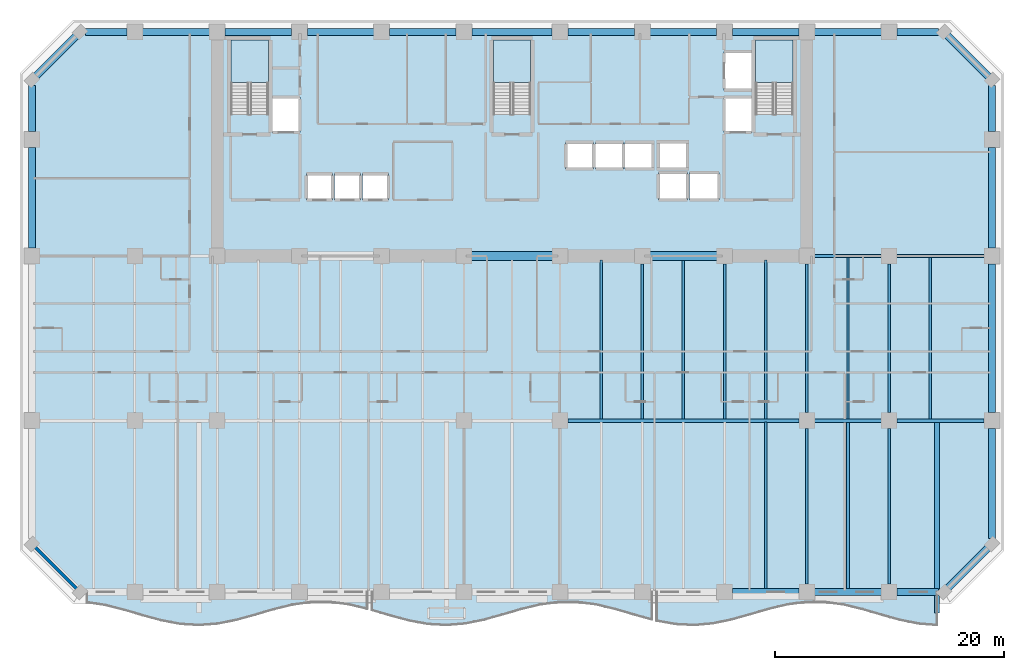
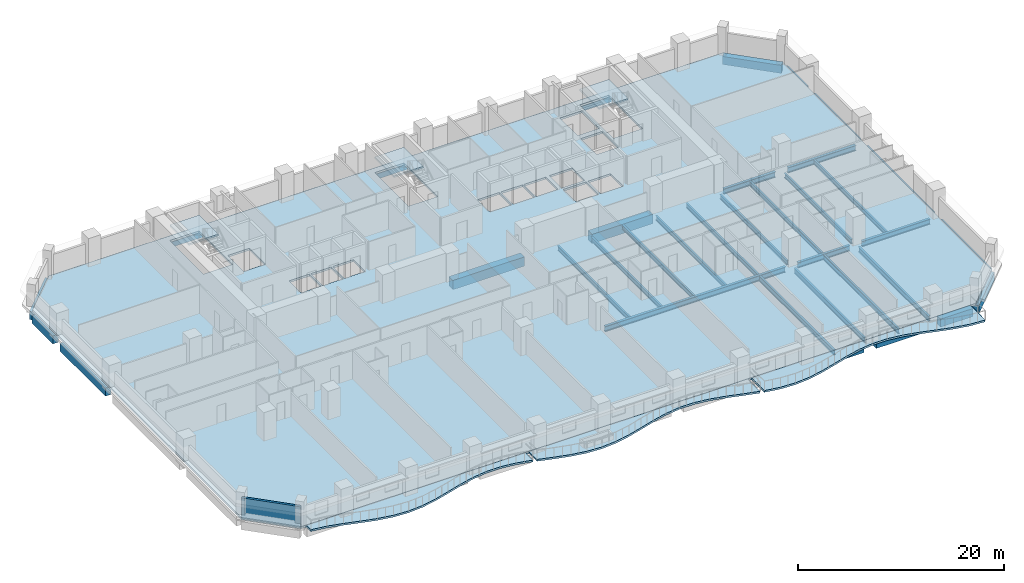
# One storey, part 2 of 14: 44 beams, 7 slabs, 1 wall, 3 elements without a shape of their own.
"""IFC4 building model written with IfcOpenShell, lengths in metres."""

from ifc_helpers import new_model, si_unit, direction, frame, frame_2d, origin, origin_2d, place, context, subcontext, project, spatial, polyline, rectangle, i_section, outline, extrude, material, layer, layer_set, material_profile, profile_set, type_object, element, aggregate, save


model = new_model("IFC4")

# Units and contexts
model_context = context("Model", 3, precision=1e-05, world=origin(), true_north=direction((0.0, 1.0)))
body_context = subcontext(model_context, "Body", "Model", "MODEL_VIEW")
ifc_project = project(units=[si_unit("LENGTHUNIT", "METRE"), si_unit("AREAUNIT", "SQUARE_METRE"), si_unit("VOLUMEUNIT", "CUBIC_METRE"), si_unit("PLANEANGLEUNIT", "RADIAN"), si_unit("MASSUNIT", "GRAM", prefix="KILO")], contexts=[model_context])

# Site, building, storey
site_placement = place(None, origin())
site = spatial("IfcSite", under=ifc_project, at=site_placement, CompositionType="ELEMENT")
building_placement = place(site_placement, origin())
building = spatial("IfcBuilding", under=site, at=building_placement, Name="Kaelvorn Grand Hotel", CompositionType="ELEMENT")
storey_placement = place(building_placement, frame((0.0, 0.0, 76.39990234375)))
storey = spatial("IfcBuildingStorey", under=building, at=storey_placement, Name="L17", CompositionType="ELEMENT", Elevation=76.39990234375)

# Beams
ifc_material_1 = material(Name="Steel S355", Category="steel")
ifc_material_profile_1 = material_profile(ifc_material_1, i_section(OverallWidth=0.300048828125, OverallDepth=0.64990234375, WebThickness=0.01611328125, FlangeThickness=0.031005859375, FilletRadius=0.027099609375, at=origin_2d()), Name="HEB 650")
ifc_profile_set_1 = profile_set([ifc_material_profile_1], Name="Steel S355")
beam_type_1 = type_object("IfcBeamType", Name="BM-G-HEB650-S355", PredefinedType="BEAM", material=ifc_profile_set_1)
beam_1_placement = place(storey_placement, frame((46.885009765625, 15.0, -0.56494140625), z_axis=(1.0, 0.0, 0.0), x_axis=(0.0, 1.0, 0.0)))
element("IfcBeam", 1, at=beam_1_placement, inside=storey, type_object=beam_type_1, Name="L17 Primary Spine Steel Girder G-15 05", PredefinedType="BEAM", context=body_context, shape_type="SweptSolid", body=[
    extrude(i_section(OverallWidth=0.300048828125, OverallDepth=0.64990234375, WebThickness=0.01611328125, FlangeThickness=0.031005859375, FilletRadius=0.027099609375, at=origin_2d()), origin(), (0.0, 0.0, 1.0), 20.22998046875),
])
beam_2_placement = place(storey_placement, frame((68.485107421875, 15.0, -0.56494140625), z_axis=(1.0, 0.0, 0.0), x_axis=(0.0, 1.0, 0.0)))
element("IfcBeam", 2, at=beam_2_placement, inside=storey, type_object=beam_type_1, Name="L17 Primary Spine Steel Girder G-15 06", PredefinedType="BEAM", context=body_context, shape_type="SweptSolid", body=[
    extrude(i_section(OverallWidth=0.300048828125, OverallDepth=0.64990234375, WebThickness=0.01611328125, FlangeThickness=0.031005859375, FilletRadius=0.027099609375, at=origin_2d()), origin(), (0.0, 0.0, 1.0), 5.829833984375),
])
beam_3_placement = place(storey_placement, frame((75.68505859375, 15.0, -0.56494140625), z_axis=(1.0, 0.0, 0.0), x_axis=(0.0, 1.0, 0.0)))
element("IfcBeam", 3, at=beam_3_placement, inside=storey, type_object=beam_type_1, Name="L17 Primary Spine Steel Girder G-15 07", PredefinedType="BEAM", context=body_context, shape_type="SweptSolid", body=[
    extrude(i_section(OverallWidth=0.300048828125, OverallDepth=0.64990234375, WebThickness=0.01611328125, FlangeThickness=0.031005859375, FilletRadius=0.027099609375, at=origin_2d()), origin(), (0.0, 0.0, 1.0), 7.6298828125),
])
beam_4_placement = place(storey_placement, frame((68.485107421875, 29.39990234375, -0.56494140625), z_axis=(1.0, 0.0, 0.0), x_axis=(0.0, 1.0, 0.0)))
element("IfcBeam", 4, at=beam_4_placement, inside=storey, type_object=beam_type_1, Name="L17 East Core Wing Steel Girder G-29E 01", PredefinedType="BEAM", context=body_context, shape_type="SweptSolid", body=[
    extrude(i_section(OverallWidth=0.300048828125, OverallDepth=0.64990234375, WebThickness=0.01611328125, FlangeThickness=0.031005859375, FilletRadius=0.027099609375, at=origin_2d()), origin(), (0.0, 0.0, 1.0), 5.829833984375),
])
beam_5_placement = place(storey_placement, frame((75.68505859375, 29.39990234375, -0.56494140625), z_axis=(1.0, 0.0, 0.0), x_axis=(0.0, 1.0, 0.0)))
element("IfcBeam", 5, at=beam_5_placement, inside=storey, type_object=beam_type_1, Name="L17 East Core Wing Steel Girder G-29E 02", PredefinedType="BEAM", context=body_context, shape_type="SweptSolid", body=[
    extrude(i_section(OverallWidth=0.300048828125, OverallDepth=0.64990234375, WebThickness=0.01611328125, FlangeThickness=0.031005859375, FilletRadius=0.027099609375, at=origin_2d()), origin(), (0.0, 0.0, 1.0), 7.6298828125),
])
ifc_material_profile_2 = material_profile(ifc_material_1, i_section(OverallWidth=0.209228515625, OverallDepth=0.533203125, WebThickness=0.010009765625, FlangeThickness=0.015625, FilletRadius=0.0126953125, at=origin_2d()), Name="UB 533x210x92")
ifc_profile_set_2 = profile_set([ifc_material_profile_2], Name="Steel S355")
beam_type_2 = type_object("IfcBeamType", Name="BM-J-UB533-S355", PredefinedType="JOIST", material=ifc_profile_set_2)
beam_6_placement = place(storey_placement, frame((49.800048828125, 15.135009765625, -0.50634765625), z_axis=(0.0, 1.0, 0.0), x_axis=(-1.0, 0.0, 0.0)))
element("IfcBeam", 6, at=beam_6_placement, inside=storey, type_object=beam_type_2, Name="L17 Composite Floor Joist JM-14", PredefinedType="JOIST", context=body_context, shape_type="SweptSolid", body=[
    extrude(i_section(OverallWidth=0.209228515625, OverallDepth=0.533203125, WebThickness=0.010009765625, FlangeThickness=0.015625, FilletRadius=0.0126953125, at=origin_2d()), origin(), (0.0, 0.0, 1.0), 13.925048828125),
])
beam_7_placement = place(storey_placement, frame((53.39990234375, 15.135009765625, -0.50634765625), z_axis=(0.0, 1.0, 0.0), x_axis=(-1.0, 0.0, 0.0)))
element("IfcBeam", 7, at=beam_7_placement, inside=storey, type_object=beam_type_2, Name="L17 Composite Floor Joist JM-15", PredefinedType="JOIST", context=body_context, shape_type="SweptSolid", body=[
    extrude(i_section(OverallWidth=0.209228515625, OverallDepth=0.533203125, WebThickness=0.010009765625, FlangeThickness=0.015625, FilletRadius=0.0126953125, at=origin_2d()), origin(), (0.0, 0.0, 1.0), 13.580078125),
])
beam_8_placement = place(storey_placement, frame((57.0, 15.135009765625, -0.50634765625), z_axis=(0.0, 1.0, 0.0), x_axis=(-1.0, 0.0, 0.0)))
element("IfcBeam", 8, at=beam_8_placement, inside=storey, type_object=beam_type_2, Name="L17 Composite Floor Joist JM-16", PredefinedType="JOIST", context=body_context, shape_type="SweptSolid", body=[
    extrude(i_section(OverallWidth=0.209228515625, OverallDepth=0.533203125, WebThickness=0.010009765625, FlangeThickness=0.015625, FilletRadius=0.0126953125, at=origin_2d()), origin(), (0.0, 0.0, 1.0), 13.925048828125),
])
beam_9_placement = place(storey_placement, frame((60.60009765625, 15.135009765625, -0.50634765625), z_axis=(0.0, 1.0, 0.0), x_axis=(-1.0, 0.0, 0.0)))
element("IfcBeam", 9, at=beam_9_placement, inside=storey, type_object=beam_type_2, Name="L17 Composite Floor Joist JM-17", PredefinedType="JOIST", context=body_context, shape_type="SweptSolid", body=[
    extrude(i_section(OverallWidth=0.209228515625, OverallDepth=0.533203125, WebThickness=0.010009765625, FlangeThickness=0.015625, FilletRadius=0.0126953125, at=origin_2d()), origin(), (0.0, 0.0, 1.0), 13.580078125),
])
beam_10_placement = place(storey_placement, frame((64.199951171875, 15.135009765625, -0.50634765625), z_axis=(0.0, 1.0, 0.0), x_axis=(-1.0, 0.0, 0.0)))
element("IfcBeam", 10, at=beam_10_placement, inside=storey, type_object=beam_type_2, Name="L17 Composite Floor Joist JM-18", PredefinedType="JOIST", context=body_context, shape_type="SweptSolid", body=[
    extrude(i_section(OverallWidth=0.209228515625, OverallDepth=0.533203125, WebThickness=0.010009765625, FlangeThickness=0.015625, FilletRadius=0.0126953125, at=origin_2d()), origin(), (0.0, 0.0, 1.0), 13.925048828125),
])
beam_11_placement = place(storey_placement, frame((67.800048828125, 15.68505859375, -0.50634765625), z_axis=(0.0, 1.0, 0.0), x_axis=(-1.0, 0.0, 0.0)))
element("IfcBeam", 11, at=beam_11_placement, inside=storey, type_object=beam_type_2, Name="L17 Composite Floor Joist JM-19", PredefinedType="JOIST", context=body_context, shape_type="SweptSolid", body=[
    extrude(i_section(OverallWidth=0.209228515625, OverallDepth=0.533203125, WebThickness=0.010009765625, FlangeThickness=0.015625, FilletRadius=0.0126953125, at=origin_2d()), origin(), (0.0, 0.0, 1.0), 13.030029296875),
])
beam_12_placement = place(storey_placement, frame((71.39990234375, 15.135009765625, -0.50634765625), z_axis=(0.0, 1.0, 0.0), x_axis=(-1.0, 0.0, 0.0)))
element("IfcBeam", 12, at=beam_12_placement, inside=storey, type_object=beam_type_2, Name="L17 Composite Floor Joist JM-20", PredefinedType="JOIST", context=body_context, shape_type="SweptSolid", body=[
    extrude(i_section(OverallWidth=0.209228515625, OverallDepth=0.533203125, WebThickness=0.010009765625, FlangeThickness=0.015625, FilletRadius=0.0126953125, at=origin_2d()), origin(), (0.0, 0.0, 1.0), 14.1298828125),
])
beam_13_placement = place(storey_placement, frame((75.0, 15.68505859375, -0.50634765625), z_axis=(0.0, 1.0, 0.0), x_axis=(-1.0, 0.0, 0.0)))
element("IfcBeam", 13, at=beam_13_placement, inside=storey, type_object=beam_type_2, Name="L17 Composite Floor Joist JM-21", PredefinedType="JOIST", context=body_context, shape_type="SweptSolid", body=[
    extrude(i_section(OverallWidth=0.209228515625, OverallDepth=0.533203125, WebThickness=0.010009765625, FlangeThickness=0.015625, FilletRadius=0.0126953125, at=origin_2d()), origin(), (0.0, 0.0, 1.0), 13.030029296875),
])
beam_14_placement = place(storey_placement, frame((78.60009765625, 15.135009765625, -0.50634765625), z_axis=(0.0, 1.0, 0.0), x_axis=(-1.0, 0.0, 0.0)))
element("IfcBeam", 14, at=beam_14_placement, inside=storey, type_object=beam_type_2, Name="L17 Composite Floor Joist JM-22", PredefinedType="JOIST", context=body_context, shape_type="SweptSolid", body=[
    extrude(i_section(OverallWidth=0.209228515625, OverallDepth=0.533203125, WebThickness=0.010009765625, FlangeThickness=0.015625, FilletRadius=0.0126953125, at=origin_2d()), origin(), (0.0, 0.0, 1.0), 14.1298828125),
])
ifc_material_profile_3 = material_profile(ifc_material_1, i_section(OverallWidth=0.22900390625, OverallDepth=0.6123046875, WebThickness=0.011962890625, FlangeThickness=0.01953125, FilletRadius=0.0126953125, at=origin_2d()), Name="UB 610x229x125")
ifc_profile_set_3 = profile_set([ifc_material_profile_3], Name="Steel S355")
beam_type_3 = type_object("IfcBeamType", Name="BM-J-UB610-S355", PredefinedType="JOIST", material=ifc_profile_set_3)
beam_15_placement = place(storey_placement, frame((64.199951171875, 0.31005859375, -0.5458984375), z_axis=(0.0, 1.0, 0.0), x_axis=(-1.0, 0.0, 0.0)))
element("IfcBeam", 15, at=beam_15_placement, inside=storey, type_object=beam_type_3, Name="L17 Composite Floor Joist JS-18", PredefinedType="JOIST", context=body_context, shape_type="SweptSolid", body=[
    extrude(i_section(OverallWidth=0.22900390625, OverallDepth=0.6123046875, WebThickness=0.011962890625, FlangeThickness=0.01953125, FilletRadius=0.0126953125, at=origin_2d()), origin(), (0.0, 0.0, 1.0), 14.554931640625),
])
beam_16_placement = place(storey_placement, frame((67.800048828125, 0.68505859375, -0.5458984375), z_axis=(0.0, 1.0, 0.0), x_axis=(-1.0, 0.0, 0.0)))
element("IfcBeam", 16, at=beam_16_placement, inside=storey, type_object=beam_type_3, Name="L17 Composite Floor Joist JS-19", PredefinedType="JOIST", context=body_context, shape_type="SweptSolid", body=[
    extrude(i_section(OverallWidth=0.22900390625, OverallDepth=0.6123046875, WebThickness=0.011962890625, FlangeThickness=0.01953125, FilletRadius=0.0126953125, at=origin_2d()), origin(), (0.0, 0.0, 1.0), 13.6298828125),
])
beam_17_placement = place(storey_placement, frame((71.39990234375, 0.31005859375, -0.5458984375), z_axis=(0.0, 1.0, 0.0), x_axis=(-1.0, 0.0, 0.0)))
element("IfcBeam", 17, at=beam_17_placement, inside=storey, type_object=beam_type_3, Name="L17 Composite Floor Joist JS-20", PredefinedType="JOIST", context=body_context, shape_type="SweptSolid", body=[
    extrude(i_section(OverallWidth=0.22900390625, OverallDepth=0.6123046875, WebThickness=0.011962890625, FlangeThickness=0.01953125, FilletRadius=0.0126953125, at=origin_2d()), origin(), (0.0, 0.0, 1.0), 14.554931640625),
])
beam_18_placement = place(storey_placement, frame((75.0, 0.68505859375, -0.5458984375), z_axis=(0.0, 1.0, 0.0), x_axis=(-1.0, 0.0, 0.0)))
element("IfcBeam", 18, at=beam_18_placement, inside=storey, type_object=beam_type_3, Name="L17 Composite Floor Joist JS-21", PredefinedType="JOIST", context=body_context, shape_type="SweptSolid", body=[
    extrude(i_section(OverallWidth=0.22900390625, OverallDepth=0.6123046875, WebThickness=0.011962890625, FlangeThickness=0.01953125, FilletRadius=0.0126953125, at=origin_2d()), origin(), (0.0, 0.0, 1.0), 13.6298828125),
])
ifc_material_2 = material(Name="Concrete C60/75", Category="concrete")
ifc_material_profile_4 = material_profile(ifc_material_2, rectangle(XDim=0.800048828125, YDim=1.10009765625, at=origin_2d()), Name="RC LINTEL 800x1100")
ifc_profile_set_4 = profile_set([ifc_material_profile_4], Name="Concrete C60/75")
beam_type_4 = type_object("IfcBeamType", Name="BM-LIN-800x1100-C60", PredefinedType="LINTEL", material=ifc_profile_set_4)
beam_19_placement = place(storey_placement, frame((37.97998046875, 29.39990234375, -0.789794921875), z_axis=(1.0, 0.0, 0.0), x_axis=(0.0, 1.0, 0.0)))
element("IfcBeam", 19, at=beam_19_placement, inside=storey, type_object=beam_type_4, Name="L17 Rear-Core Coupling Lintel Beam CB1-02", PredefinedType="LINTEL", context=body_context, shape_type="SweptSolid", body=[
    extrude(rectangle(XDim=0.800048828125, YDim=1.10009765625, at=origin_2d()), origin(), (0.0, 0.0, 1.0), 8.0400390625),
])
beam_20_placement = place(storey_placement, frame((53.580078125, 29.39990234375, -0.789794921875), z_axis=(1.0, 0.0, 0.0), x_axis=(0.0, 1.0, 0.0)))
element("IfcBeam", 20, at=beam_20_placement, inside=storey, type_object=beam_type_4, Name="L17 Rear-Core Coupling Lintel Beam CB1-03", PredefinedType="LINTEL", context=body_context, shape_type="SweptSolid", body=[
    extrude(rectangle(XDim=0.800048828125, YDim=1.10009765625, at=origin_2d()), origin(), (0.0, 0.0, 1.0), 6.83984375),
])
ifc_material_3 = material(Name="Concrete C40/50", Category="concrete")
ifc_material_profile_5 = material_profile(ifc_material_3, rectangle(XDim=0.449951171875, YDim=0.64990234375, at=origin_2d()), Name="RC RIB 450x650")
ifc_profile_set_5 = profile_set([ifc_material_profile_5], Name="Concrete C40/50")
beam_type_5 = type_object("IfcBeamType", Name="BM-RIB-450x650-C40", PredefinedType="SPANDREL", material=ifc_profile_set_5)
beam_21_placement = place(storey_placement, frame((79.199951171875, -1.85009765625, -0.544921875), z_axis=(0.0, 1.0, 0.0), x_axis=(-1.0, 0.0, 0.0)))
element("IfcBeam", 21, at=beam_21_placement, inside=storey, type_object=beam_type_5, Name="L17 Cantilevered Balcony Back-Span Rib RB1-3", PredefinedType="SPANDREL", context=body_context, shape_type="SweptSolid", body=[
    extrude(rectangle(XDim=0.449951171875, YDim=0.64990234375, at=origin_2d()), origin(), (0.0, 0.0, 1.0), 16.715087890625),
])
ifc_material_profile_6 = material_profile(ifc_material_2, rectangle(XDim=0.64990234375, YDim=0.949951171875, at=origin_2d()), Name="RC SPANDREL 650x950")
ifc_profile_set_6 = profile_set([ifc_material_profile_6], Name="Concrete C60/75")
beam_type_6 = type_object("IfcBeamType", Name="BM-SP-650x950-C60", PredefinedType="SPANDREL", material=ifc_profile_set_6)
beam_22_placement = place(storey_placement, frame((61.284912109375, 0.0, -0.71484375), z_axis=(1.0, 0.0, 0.0), x_axis=(0.0, 1.0, 0.0)))
element("IfcBeam", 22, at=beam_22_placement, inside=storey, type_object=beam_type_6, Name="L17 South Perimeter Spandrel 09", PredefinedType="SPANDREL", context=body_context, shape_type="SweptSolid", body=[
    extrude(rectangle(XDim=0.64990234375, YDim=0.949951171875, at=origin_2d()), origin(), (0.0, 0.0, 1.0), 5.830078125),
])
beam_23_placement = place(storey_placement, frame((68.485107421875, 0.0, -0.71484375), z_axis=(1.0, 0.0, 0.0), x_axis=(0.0, 1.0, 0.0)))
element("IfcBeam", 23, at=beam_23_placement, inside=storey, type_object=beam_type_6, Name="L17 South Perimeter Spandrel 10", PredefinedType="SPANDREL", context=body_context, shape_type="SweptSolid", body=[
    extrude(rectangle(XDim=0.64990234375, YDim=0.949951171875, at=origin_2d()), origin(), (0.0, 0.0, 1.0), 5.829833984375),
])
for number, where, z_axis, x_axis, name in (
    (24, (75.68505859375, 0.0, -0.71484375), (1.0, 0.0, 0.0), (0.0, 1.0, 0.0), "L17 South Perimeter Spandrel 11"),
    (25, (4.68505859375, 49.0, -0.71484375), (1.0, 0.0, 0.0), (0.0, 1.0, 0.0), "L17 North Perimeter Spandrel 01"),
):
    element("IfcBeam", number, at=place(storey_placement, frame(where, z_axis=z_axis, x_axis=x_axis)), inside=storey, type_object=beam_type_6, Name=name, PredefinedType="SPANDREL", context=body_context, shape_type="SweptSolid", body=[
        extrude(rectangle(XDim=0.64990234375, YDim=0.949951171875, at=origin_2d()), origin(), (0.0, 0.0, 1.0), 3.6298828125),
    ])
beam_24_placement = place(storey_placement, frame((9.68505859375, 49.0, -0.71484375), z_axis=(1.0, 0.0, 0.0), x_axis=(0.0, 1.0, 0.0)))
element("IfcBeam", 26, at=beam_24_placement, inside=storey, type_object=beam_type_6, Name="L17 North Perimeter Spandrel 02", PredefinedType="SPANDREL", context=body_context, shape_type="SweptSolid", body=[
    extrude(rectangle(XDim=0.64990234375, YDim=0.949951171875, at=origin_2d()), origin(), (0.0, 0.0, 1.0), 5.829833984375),
])
for number, where, z_axis, x_axis, name in (
    (27, (16.885009765625, 49.0, -0.71484375), (1.0, 0.0, 0.0), (0.0, 1.0, 0.0), "L17 North Perimeter Spandrel 03"),
    (28, (24.0849609375, 49.0, -0.71484375), (1.0, 0.0, 0.0), (0.0, 1.0, 0.0), "L17 North Perimeter Spandrel 04"),
    (29, (31.284912109375, 49.0, -0.71484375), (1.0, 0.0, 0.0), (0.0, 1.0, 0.0), "L17 North Perimeter Spandrel 05"),
):
    element("IfcBeam", number, at=place(storey_placement, frame(where, z_axis=z_axis, x_axis=x_axis)), inside=storey, type_object=beam_type_6, Name=name, PredefinedType="SPANDREL", context=body_context, shape_type="SweptSolid", body=[
        extrude(rectangle(XDim=0.64990234375, YDim=0.949951171875, at=origin_2d()), origin(), (0.0, 0.0, 1.0), 5.830078125),
    ])
beam_25_placement = place(storey_placement, frame((38.485107421875, 49.0, -0.71484375), z_axis=(1.0, 0.0, 0.0), x_axis=(0.0, 1.0, 0.0)))
element("IfcBeam", 30, at=beam_25_placement, inside=storey, type_object=beam_type_6, Name="L17 North Perimeter Spandrel 06", PredefinedType="SPANDREL", context=body_context, shape_type="SweptSolid", body=[
    extrude(rectangle(XDim=0.64990234375, YDim=0.949951171875, at=origin_2d()), origin(), (0.0, 0.0, 1.0), 7.02978515625),
])
for number, where, z_axis, x_axis, name in (
    (31, (46.885009765625, 49.0, -0.71484375), (1.0, 0.0, 0.0), (0.0, 1.0, 0.0), "L17 North Perimeter Spandrel 07"),
    (32, (54.0849609375, 49.0, -0.71484375), (1.0, 0.0, 0.0), (0.0, 1.0, 0.0), "L17 North Perimeter Spandrel 08"),
    (33, (61.284912109375, 49.0, -0.71484375), (1.0, 0.0, 0.0), (0.0, 1.0, 0.0), "L17 North Perimeter Spandrel 09"),
):
    element("IfcBeam", number, at=place(storey_placement, frame(where, z_axis=z_axis, x_axis=x_axis)), inside=storey, type_object=beam_type_6, Name=name, PredefinedType="SPANDREL", context=body_context, shape_type="SweptSolid", body=[
        extrude(rectangle(XDim=0.64990234375, YDim=0.949951171875, at=origin_2d()), origin(), (0.0, 0.0, 1.0), 5.830078125),
    ])
beam_26_placement = place(storey_placement, frame((68.485107421875, 49.0, -0.71484375), z_axis=(1.0, 0.0, 0.0), x_axis=(0.0, 1.0, 0.0)))
element("IfcBeam", 34, at=beam_26_placement, inside=storey, type_object=beam_type_6, Name="L17 North Perimeter Spandrel 10", PredefinedType="SPANDREL", context=body_context, shape_type="SweptSolid", body=[
    extrude(rectangle(XDim=0.64990234375, YDim=0.949951171875, at=origin_2d()), origin(), (0.0, 0.0, 1.0), 5.829833984375),
])
beam_27_placement = place(storey_placement, frame((75.68505859375, 49.0, -0.71484375), z_axis=(1.0, 0.0, 0.0), x_axis=(0.0, 1.0, 0.0)))
element("IfcBeam", 35, at=beam_27_placement, inside=storey, type_object=beam_type_6, Name="L17 North Perimeter Spandrel 11", PredefinedType="SPANDREL", context=body_context, shape_type="SweptSolid", body=[
    extrude(rectangle(XDim=0.64990234375, YDim=0.949951171875, at=origin_2d()), origin(), (0.0, 0.0, 1.0), 3.6298828125),
])
beam_28_placement = place(storey_placement, frame((0.0, 30.0849609375, -0.71484375), z_axis=(0.0, 1.0, 0.0), x_axis=(-1.0, 0.0, 0.0)))
element("IfcBeam", 36, at=beam_28_placement, inside=storey, type_object=beam_type_6, Name="L17 West Perimeter Spandrel 03", PredefinedType="SPANDREL", context=body_context, shape_type="SweptSolid", body=[
    extrude(rectangle(XDim=0.64990234375, YDim=0.949951171875, at=origin_2d()), origin(), (0.0, 0.0, 1.0), 8.830078125),
])
beam_29_placement = place(storey_placement, frame((0.0, 40.284912109375, -0.71484375), z_axis=(0.0, 1.0, 0.0), x_axis=(-1.0, 0.0, 0.0)))
element("IfcBeam", 37, at=beam_29_placement, inside=storey, type_object=beam_type_6, Name="L17 West Perimeter Spandrel 04", PredefinedType="SPANDREL", context=body_context, shape_type="SweptSolid", body=[
    extrude(rectangle(XDim=0.64990234375, YDim=0.949951171875, at=origin_2d()), origin(), (0.0, 0.0, 1.0), 4.030029296875),
])
beam_30_placement = place(storey_placement, frame((84.0, 4.68505859375, -0.71484375), z_axis=(0.0, 1.0, 0.0), x_axis=(-1.0, 0.0, 0.0)))
element("IfcBeam", 38, at=beam_30_placement, inside=storey, type_object=beam_type_6, Name="L17 East Perimeter Spandrel 01", PredefinedType="SPANDREL", context=body_context, shape_type="SweptSolid", body=[
    extrude(rectangle(XDim=0.64990234375, YDim=0.949951171875, at=origin_2d()), origin(), (0.0, 0.0, 1.0), 9.6298828125),
])
beam_31_placement = place(storey_placement, frame((84.0, 15.68505859375, -0.71484375), z_axis=(0.0, 1.0, 0.0), x_axis=(-1.0, 0.0, 0.0)))
element("IfcBeam", 39, at=beam_31_placement, inside=storey, type_object=beam_type_6, Name="L17 East Perimeter Spandrel 02", PredefinedType="SPANDREL", context=body_context, shape_type="SweptSolid", body=[
    extrude(rectangle(XDim=0.64990234375, YDim=0.949951171875, at=origin_2d()), origin(), (0.0, 0.0, 1.0), 13.030029296875),
])
beam_32_placement = place(storey_placement, frame((84.0, 30.0849609375, -0.71484375), z_axis=(0.0, 1.0, 0.0), x_axis=(-1.0, 0.0, 0.0)))
element("IfcBeam", 40, at=beam_32_placement, inside=storey, type_object=beam_type_6, Name="L17 East Perimeter Spandrel 03", PredefinedType="SPANDREL", context=body_context, shape_type="SweptSolid", body=[
    extrude(rectangle(XDim=0.64990234375, YDim=0.949951171875, at=origin_2d()), origin(), (0.0, 0.0, 1.0), 8.830078125),
])
beam_33_placement = place(storey_placement, frame((84.0, 40.284912109375, -0.71484375), z_axis=(0.0, 1.0, 0.0), x_axis=(-1.0, 0.0, 0.0)))
element("IfcBeam", 41, at=beam_33_placement, inside=storey, type_object=beam_type_6, Name="L17 East Perimeter Spandrel 04", PredefinedType="SPANDREL", context=body_context, shape_type="SweptSolid", body=[
    extrude(rectangle(XDim=0.64990234375, YDim=0.949951171875, at=origin_2d()), origin(), (0.0, 0.0, 1.0), 4.030029296875),
])
for number, where, z_axis, x_axis, name in (
    (42, (79.800048828125, 0.0, -0.71484375), (0.707106781187, 0.707106781187, 0.0), (-0.707106781187, 0.707106781187, 0.0), "L17 Chamfer Spandrel Beam 1"),
    (43, (84.0, 44.800048828125, -0.71484375), (-0.707106781187, 0.707106781187, 0.0), (-0.707106781187, -0.707106781187, 0.0), "L17 Chamfer Spandrel Beam 2"),
    (44, (4.199951171875, 49.0, -0.71484375), (-0.707106781187, -0.707106781187, 0.0), (0.707106781187, -0.707106781187, 0.0), "L17 Chamfer Spandrel Beam 3"),
):
    element("IfcBeam", number, at=place(storey_placement, frame(where, z_axis=z_axis, x_axis=x_axis)), inside=storey, type_object=beam_type_6, Name=name, PredefinedType="SPANDREL", context=body_context, shape_type="SweptSolid", body=[
        extrude(rectangle(XDim=0.64990234375, YDim=0.949951171875, at=origin_2d()), origin(), (0.0, 0.0, 1.0), 5.939697265625),
    ])

# Slabs
ifc_layer_1 = layer(ifc_material_3, 0.219970703125)
ifc_layer_set_1 = layer_set([ifc_layer_1], Name="Concrete C40/50")
slab_type_1 = type_object("IfcSlabType", Name="SLB-BALC-220-C40", PredefinedType="FLOOR", material=ifc_layer_set_1)
slab_1_placement = place(storey_placement, frame((0.0, 0.0, -0.219970703125)))
element("IfcSlab", 45, at=slab_1_placement, inside=storey, type_object=slab_type_1, Name="L17 Scalloped Wave Balcony Slab 1", PredefinedType="FLOOR", context=body_context, shape_type="SweptSolid", body=[
    extrude(outline(polyline([(4.800048828125, -0.900146484375), (6.435546875, -1.153564453125), (8.071044921875, -1.567138671875), (9.706787109375, -2.049072265625), (11.34228515625, -2.492431640625), (12.977783203125, -2.798583984375), (14.61328125, -2.899658203125), (16.248779296875, -2.773193359375), (17.884521484375, -2.447021484375), (19.52001953125, -1.993896484375), (21.155517578125, -1.514404296875), (22.791015625, -1.114990234375), (24.4267578125, -0.884521484375), (26.062255859375, -0.873779296875), (27.69775390625, -1.08544921875), (29.333251953125, -1.47265625), (29.333251953125, 0.0), (4.800048828125, 0.0), (4.800048828125, -0.900146484375)])), origin(), (0.0, 0.0, 1.0), 0.219970703125),
])
slab_2_placement = place(storey_placement, frame((0.0, 0.0, -0.219970703125)))
element("IfcSlab", 46, at=slab_2_placement, inside=storey, type_object=slab_type_1, Name="L17 Scalloped Wave Balcony Slab 2", PredefinedType="FLOOR", context=body_context, shape_type="SweptSolid", body=[
    extrude(outline(polyline([(29.7333984375, -1.584716796875), (31.368896484375, -2.0673828125), (33.00439453125, -2.507080078125), (34.639892578125, -2.806396484375), (36.275634765625, -2.89892578125), (37.9111328125, -2.763916015625), (39.546630859375, -2.431640625), (41.18212890625, -1.9755859375), (42.81787109375, -1.4970703125), (44.453369140625, -1.102783203125), (46.0888671875, -0.8798828125), (47.724365234375, -0.8779296875), (49.360107421875, -1.097412109375), (50.99560546875, -1.48974609375), (52.631103515625, -1.967529296875), (54.2666015625, -2.4248046875), (54.2666015625, 0.0), (29.7333984375, 0.0), (29.7333984375, -1.584716796875)])), origin(), (0.0, 0.0, 1.0), 0.219970703125),
])
slab_3_placement = place(storey_placement, frame((0.0, 0.0, -0.219970703125)))
element("IfcSlab", 47, at=slab_3_placement, inside=storey, type_object=slab_type_1, Name="L17 Scalloped Wave Balcony Slab 3", PredefinedType="FLOOR", context=body_context, shape_type="SweptSolid", body=[
    extrude(outline(polyline([(54.666748046875, -2.521484375), (56.30224609375, -2.81396484375), (57.937744140625, -2.89794921875), (59.5732421875, -2.754638671875), (61.208984375, -2.416015625), (62.844482421875, -1.95703125), (64.47998046875, -1.47998046875), (66.115478515625, -1.090576171875), (67.751220703125, -0.87548828125), (69.38671875, -0.88232421875), (71.022216796875, -1.109619140625), (72.65771484375, -1.507080078125), (74.293212890625, -1.986083984375), (75.928955078125, -2.4404296875), (77.564453125, -2.769287109375), (79.199951171875, -2.8994140625), (79.199951171875, 0.0), (54.666748046875, 0.0), (54.666748046875, -2.521484375)])), origin(), (0.0, 0.0, 1.0), 0.219970703125),
])
ifc_layer_2 = layer(ifc_material_3, 0.239990234375)
ifc_layer_set_2 = layer_set([ifc_layer_2], Name="Concrete C40/50")
slab_type_2 = type_object("IfcSlabType", Name="SLB-FLR-240-C40", PredefinedType="FLOOR", material=ifc_layer_set_2)
slab_4_placement = place(storey_placement, frame((0.0, 0.0, -0.239990234375)))
element("IfcSlab", 48, at=slab_4_placement, inside=storey, type_object=slab_type_2, Name="L17 Indoor Suspended Floor Slab", PredefinedType="FLOOR", context=body_context, shape_type="SweptSolid", body=[
    extrude(outline(polyline([(4.199951171875, 0.0), (79.800048828125, 0.0), (84.0, 4.199951171875), (84.0, 44.800048828125), (79.800048828125, 49.0), (4.199951171875, 49.0), (0.0, 44.800048828125), (0.0, 4.199951171875), (4.199951171875, 0.0)]), holes=[polyline([(17.39990234375, 41.760009765625), (17.39990234375, 48.300048828125), (20.679931640625, 48.300048828125), (20.679931640625, 41.760009765625), (17.39990234375, 41.760009765625)]), polyline([(40.360107421875, 41.760009765625), (40.360107421875, 48.300048828125), (43.639892578125, 48.300048828125), (43.639892578125, 41.760009765625), (40.360107421875, 41.760009765625)]), polyline([(63.320068359375, 41.760009765625), (63.320068359375, 48.300048828125), (66.60009765625, 48.300048828125), (66.60009765625, 41.760009765625), (63.320068359375, 41.760009765625)]), polyline([(24.0, 34.300048828125), (24.0, 36.60009765625), (26.300048828125, 36.60009765625), (26.300048828125, 34.300048828125), (24.0, 34.300048828125)]), polyline([(26.449951171875, 34.300048828125), (26.449951171875, 36.60009765625), (28.75, 36.60009765625), (28.75, 34.300048828125), (26.449951171875, 34.300048828125)]), polyline([(28.89990234375, 34.300048828125), (28.89990234375, 36.60009765625), (31.199951171875, 36.60009765625), (31.199951171875, 34.300048828125), (28.89990234375, 34.300048828125)]), polyline([(46.699951171875, 37.0), (46.699951171875, 39.35009765625), (49.14990234375, 39.35009765625), (49.14990234375, 37.0), (46.699951171875, 37.0)]), polyline([(49.300048828125, 37.0), (49.300048828125, 39.35009765625), (51.75, 39.35009765625), (51.75, 37.0), (49.300048828125, 37.0)]), polyline([(51.89990234375, 37.0), (51.89990234375, 39.35009765625), (54.35009765625, 39.35009765625), (54.35009765625, 37.0), (51.89990234375, 37.0)]), polyline([(54.800048828125, 34.300048828125), (54.800048828125, 36.699951171875), (57.35009765625, 36.699951171875), (57.35009765625, 34.300048828125), (54.800048828125, 34.300048828125)]), polyline([(57.550048828125, 34.300048828125), (57.550048828125, 36.699951171875), (60.10009765625, 36.699951171875), (60.10009765625, 34.300048828125), (57.550048828125, 34.300048828125)]), polyline([(54.800048828125, 37.0), (54.800048828125, 39.39990234375), (57.35009765625, 39.39990234375), (57.35009765625, 37.0), (54.800048828125, 37.0)]), polyline([(21.0, 40.199951171875), (21.0, 43.300048828125), (23.449951171875, 43.300048828125), (23.449951171875, 40.199951171875), (21.0, 40.199951171875)]), polyline([(60.550048828125, 40.199951171875), (60.550048828125, 43.300048828125), (63.0, 43.300048828125), (63.0, 40.199951171875), (60.550048828125, 40.199951171875)]), polyline([(60.550048828125, 43.89990234375), (60.550048828125, 47.300048828125), (63.0, 47.300048828125), (63.0, 43.89990234375), (60.550048828125, 43.89990234375)])]), origin(), (0.0, 0.0, 1.0), 0.239990234375),
])

# Stair, slab
stair_type = type_object("IfcStairType", Name="STR-DOG-1560-R06", PredefinedType="HALF_TURN_STAIR", material=ifc_material_3)
stair_1_placement = place(storey_placement, origin())
stair_1 = element("IfcStair", 49, at=stair_1_placement, inside=storey, type_object=stair_type, Name="L17 West Core Exit Stair ST1", PredefinedType="HALF_TURN_STAIR")
ifc_layer_3 = layer(ifc_material_3, 0.199951171875)
ifc_layer_set_3 = layer_set([ifc_layer_3], Name="Concrete C40/50")
slab_type_3 = type_object("IfcSlabType", Name="SLB-LAND-200-C40", PredefinedType="LANDING", material=ifc_layer_set_3)
slab_5_placement = place(storey_placement, frame((0.0, 0.0, 1.675048828125)))
slab_5 = element("IfcSlab", 50, at=slab_5_placement, type_object=slab_type_3, Name="ST1 landing 1", PredefinedType="LANDING", context=body_context, shape_type="SweptSolid", body=[
    extrude(outline(polyline([(20.679931640625, 44.56005859375), (20.679931640625, 48.300048828125), (17.39990234375, 48.300048828125), (17.39990234375, 44.56005859375), (20.679931640625, 44.56005859375)])), origin(), (0.0, 0.0, 1.0), 0.199951171875),
])
aggregate(stair_1, [slab_5])

stair_2_placement = place(storey_placement, origin())
stair_2 = element("IfcStair", 51, at=stair_2_placement, inside=storey, type_object=stair_type, Name="L17 Central Core Exit Stair ST2", PredefinedType="HALF_TURN_STAIR")
slab_6_placement = place(storey_placement, frame((0.0, 0.0, 1.675048828125)))
slab_6 = element("IfcSlab", 52, at=slab_6_placement, type_object=slab_type_3, Name="ST2 landing 1", PredefinedType="LANDING", context=body_context, shape_type="SweptSolid", body=[
    extrude(outline(polyline([(43.639892578125, 44.56005859375), (43.639892578125, 48.300048828125), (40.360107421875, 48.300048828125), (40.360107421875, 44.56005859375), (43.639892578125, 44.56005859375)])), origin(), (0.0, 0.0, 1.0), 0.199951171875),
])
aggregate(stair_2, [slab_6])

stair_3_placement = place(storey_placement, origin())
stair_3 = element("IfcStair", 53, at=stair_3_placement, inside=storey, type_object=stair_type, Name="L17 East Core Exit Stair ST3", PredefinedType="HALF_TURN_STAIR")
slab_7_placement = place(storey_placement, frame((0.0, 0.0, 1.675048828125)))
slab_7 = element("IfcSlab", 54, at=slab_7_placement, type_object=slab_type_3, Name="ST3 landing 1", PredefinedType="LANDING", context=body_context, shape_type="SweptSolid", body=[
    extrude(outline(polyline([(66.60009765625, 44.56005859375), (66.60009765625, 48.300048828125), (63.320068359375, 48.300048828125), (63.320068359375, 44.56005859375), (66.60009765625, 44.56005859375)])), origin(), (0.0, 0.0, 1.0), 0.199951171875),
])
aggregate(stair_3, [slab_7])

# Wall
ifc_layer_4 = layer(ifc_material_3, 0.260009765625)
ifc_layer_set_4 = layer_set([ifc_layer_4], Name="Concrete C40/50")
wall_type = type_object("IfcWallType", Name="WL-EXT-260-C40", PredefinedType="SOLIDWALL", material=ifc_layer_set_4)
wall_placement = place(storey_placement, frame((0.0, 4.199951171875, 0.0), z_axis=(0.0, 0.0, 1.0), x_axis=(0.707106781187, -0.707106781187, 0.0)))
element("IfcWall", 55, at=wall_placement, inside=storey, type_object=wall_type, Name="L17 Exterior Architectural Concrete Wall 08", PredefinedType="SOLIDWALL", context=body_context, shape_type="SweptSolid", body=[
    extrude(rectangle(XDim=5.939697265625, YDim=0.260009765625, at=frame_2d((2.9697265625, 0.0))), origin(), (0.0, 0.0, 1.0), 2.4501953125),
])

save(model, "model.ifc")
